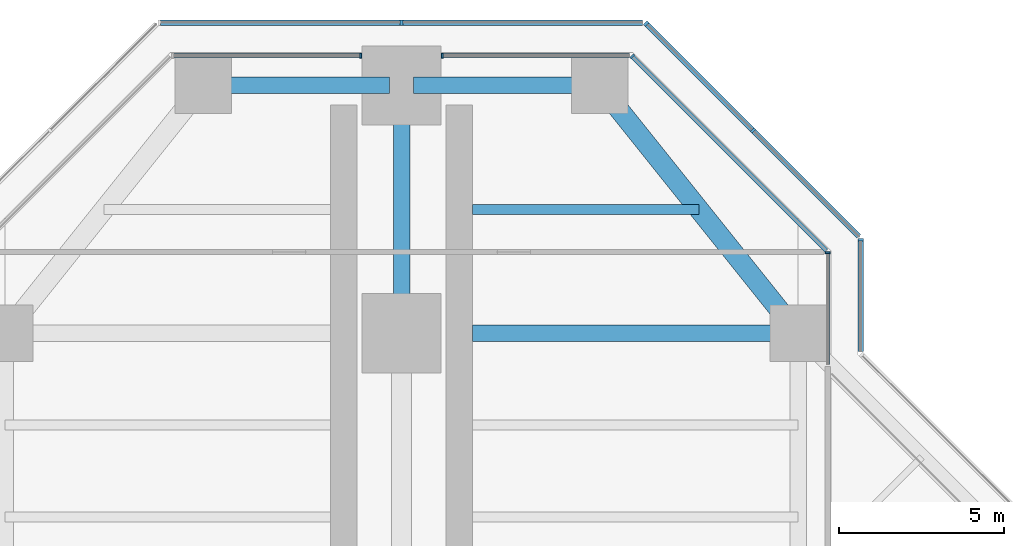
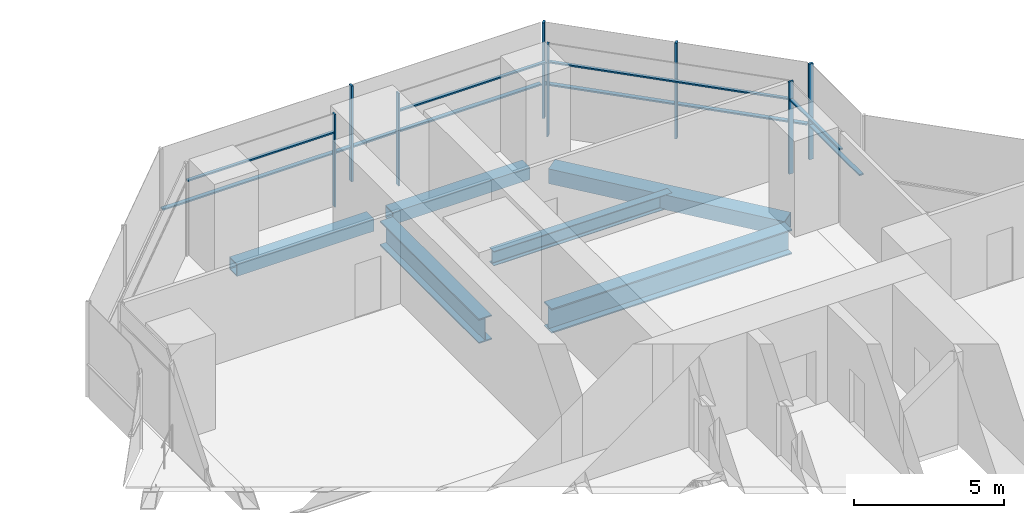
# One storey, part 10 of 19: 17 members, 6 beams, 7 elements without a shape of their own.
"""IFC4 building model written with IfcOpenShell, lengths in metres."""

import ifcopenshell
import ifcopenshell.guid

model = None  # the IFC model being written
_history = None  # IfcOwnerHistory: only IFC2X3 demands one
_inside = {}  # id of a spatial element -> (the spatial element, [elements in it])
_under = {}  # id of a project, library or spatial element -> (it, [spatial elements below it])
_declared = {}  # id of a project -> (the project, [libraries it declares])
_typed = {}  # id of a type object -> (the type object, [elements of that type])
_made_of = {}  # id of a material, layer set ... -> (it, [elements and type objects made of it])


def new_model(schema):
    """Start an empty IFC model of exactly this schema.

    Asked for "IFC4X3", IfcOpenShell would pick the latest addendum, in which some entities
    have other attributes; the version numbers below select the first issue.
    IFC2X3 requires an IfcOwnerHistory on every rooted entity: one is made here for all.
    """
    global model, _history
    if schema == "IFC4X3":
        model = ifcopenshell.file(schema_version=(4, 3, 0, 0))
    else:
        model = ifcopenshell.file(schema=schema)
    _inside.clear()
    _under.clear()
    _declared.clear()
    _typed.clear()
    _made_of.clear()
    _history = None
    if model.schema == "IFC2X3":
        org = make("IfcOrganization", Name="unknown")
        user = make(
            "IfcPersonAndOrganization",
            ThePerson=make("IfcPerson", FamilyName="unknown"),
            TheOrganization=org,
        )
        app = make(
            "IfcApplication",
            ApplicationDeveloper=org,
            Version="unknown",
            ApplicationFullName="unknown",
            ApplicationIdentifier="unknown",
        )
        _history = make(
            "IfcOwnerHistory",
            OwningUser=user,
            OwningApplication=app,
            ChangeAction="ADDED",
            CreationDate=0,
        )
    return model


def make(cls, **values):
    """One entity of the class cls with the attributes given. An attribute that is None is left unset."""
    return model.create_entity(
        cls, **{name: value for name, value in values.items() if value is not None}
    )


def rooted(cls, **values):
    """An entity with a GlobalId (a new one), such as an element, a storey or a relation."""
    return make(cls, GlobalId=ifcopenshell.guid.new(), OwnerHistory=_history, **values)


def si_unit(unit_type, name, prefix=None):
    """IfcSIUnit, for example si_unit("LENGTHUNIT", "METRE", prefix="MILLI")."""
    return make("IfcSIUnit", UnitType=unit_type, Prefix=prefix, Name=name)


def assignment(units):
    """IfcUnitAssignment: the units of a project."""
    return None if units is None else make("IfcUnitAssignment", Units=units)


def point(xyz):
    """IfcCartesianPoint."""
    return None if xyz is None else make("IfcCartesianPoint", Coordinates=xyz)


def direction(xyz):
    """IfcDirection."""
    return None if xyz is None else make("IfcDirection", DirectionRatios=xyz)


def frame(location, z_axis=None, x_axis=None):
    """IfcAxis2Placement3D, a coordinate frame: its origin and axes. An axis left out is left unset."""
    return make(
        "IfcAxis2Placement3D",
        Location=point(location),
        Axis=direction(z_axis),
        RefDirection=direction(x_axis),
    )


def frame_2d(location, x_axis=None):
    """IfcAxis2Placement2D, a coordinate frame in the plane: its origin and x axis."""
    return make(
        "IfcAxis2Placement2D", Location=point(location), RefDirection=direction(x_axis)
    )


def origin():
    """The frame at (0, 0, 0) with its axes left unset."""
    return frame((0.0, 0.0, 0.0))


def origin_2d():
    """The frame at (0, 0) in the plane with its x axis left unset."""
    return frame_2d((0.0, 0.0))


def place(relative_to, where):
    """IfcLocalPlacement: puts the frame where relative to a parent placement (None: the world)."""
    return make(
        "IfcLocalPlacement", PlacementRelTo=relative_to, RelativePlacement=where
    )


def context(
    kind, dimensions, precision=None, world=None, true_north=None, identifier=None
):
    """IfcGeometricRepresentationContext, for example the 3D "Model" context."""
    return make(
        "IfcGeometricRepresentationContext",
        ContextIdentifier=identifier,
        ContextType=kind,
        CoordinateSpaceDimension=dimensions,
        Precision=precision,
        WorldCoordinateSystem=world,
        TrueNorth=true_north,
    )


def subcontext(parent, identifier, kind, view, scale=None):
    """IfcGeometricRepresentationSubContext, for example "Body" below "Model"."""
    return make(
        "IfcGeometricRepresentationSubContext",
        ContextIdentifier=identifier,
        ContextType=kind,
        ParentContext=parent,
        TargetScale=scale,
        TargetView=view,
    )


def project(units=None, contexts=None):
    """IfcProject with its units and contexts."""
    return rooted(
        "IfcProject",
        Name="project",
        RepresentationContexts=contexts,
        UnitsInContext=assignment(units),
    )


def spatial(cls, under=None, at=None, **own):
    """A site, building, storey or space (cls), placed at a placement, below another one or the project."""
    s = rooted(cls, ObjectPlacement=at, **own)
    if under is not None:
        _under.setdefault(under.id(), (under, []))[1].append(s)
    return s


def profile(cls, at=None, kind="AREA", **sizes):
    """A parametric profile (cls). Its sizes go by their IFC names, for example OverallWidth=200.0."""
    return make(cls, ProfileType=kind, Position=at, **sizes)


def rectangle(**sizes):
    """IfcRectangleProfileDef."""
    return profile("IfcRectangleProfileDef", **sizes)


def hollow_rectangle(**sizes):
    """IfcRectangleHollowProfileDef."""
    return profile("IfcRectangleHollowProfileDef", **sizes)


def i_section(**sizes):
    """IfcIShapeProfileDef."""
    return profile("IfcIShapeProfileDef", **sizes)


def extrude(swept, where, along, depth):
    """IfcExtrudedAreaSolid: the profile swept, set in the frame where, extruded along a direction by depth."""
    return make(
        "IfcExtrudedAreaSolid",
        SweptArea=swept,
        Position=where,
        ExtrudedDirection=direction(along),
        Depth=depth,
    )


def shape(context_of_items, identifier, shape_type, items):
    """IfcShapeRepresentation: the items that make up one representation, for example the "Body"."""
    return make(
        "IfcShapeRepresentation",
        ContextOfItems=context_of_items,
        RepresentationIdentifier=identifier,
        RepresentationType=shape_type,
        Items=items,
    )


def material(Name=None, Category=None):
    """IfcMaterial."""
    return make("IfcMaterial", Name=Name, Category=Category)


def material_profile(
    of_material, cross_section, Name=None, Category=None, Priority=None
):
    """IfcMaterialProfile: a cross section and its material."""
    return make(
        "IfcMaterialProfile",
        Name=Name,
        Material=of_material,
        Profile=cross_section,
        Priority=Priority,
        Category=Category,
    )


def profile_set(profiles, Name=None, composite=None):
    """IfcMaterialProfileSet."""
    return make(
        "IfcMaterialProfileSet",
        Name=Name,
        MaterialProfiles=profiles,
        CompositeProfile=composite,
    )


def made_of(thing, what):
    """Note that an element or type object is made of a material, layer set ...; save() writes the relation."""
    if what is not None:
        _made_of.setdefault(what.id(), (what, []))[1].append(thing)
    return thing


def type_object(cls, material=None, **own):
    """A type object (cls), such as IfcWallType, which elements share."""
    return made_of(rooted(cls, **own), material)


def element(
    cls,
    number,
    at=None,
    inside=None,
    cuts=None,
    type_object=None,
    material=None,
    context=None,
    identifier="Body",
    shape_type=None,
    held_by="IfcProductDefinitionShape",
    body=None,
    shapes=None,
    **own,
):
    """One element of the class cls, such as IfcWall. Its Tag is "e" and its number.

    at: its placement. inside: the storey or other place that contains it. cuts: it is an
    opening in that element (IfcRelVoidsElement). A single representation is given by context,
    identifier, shape_type and body (its items); several are given by shapes. held_by: the class
    of the entity that holds the representations. save() writes the other relations.
    """
    e = rooted(cls, Tag="e%d" % number, ObjectPlacement=at, **own)
    if body is not None:
        shapes = [shape(context, identifier, shape_type, body)]
    if shapes is not None:
        e.Representation = make(held_by, Representations=shapes)
    if inside is not None:
        _inside.setdefault(inside.id(), (inside, []))[1].append(e)
    if cuts is not None:
        rooted(
            "IfcRelVoidsElement", RelatingBuildingElement=cuts, RelatedOpeningElement=e
        )
    if type_object is not None:
        _typed.setdefault(type_object.id(), (type_object, []))[1].append(e)
    return made_of(e, material)


def aggregate(whole, parts):
    """IfcRelAggregates: a whole, such as a stair, and the parts it consists of."""
    return rooted("IfcRelAggregates", RelatingObject=whole, RelatedObjects=parts)


def save(model, path):
    """Write the relations noted so far, then the file.

    IfcRelAggregates (storeys below a building ...), IfcRelContainedInSpatialStructure (elements
    in a storey), IfcRelDefinesByType, IfcRelAssociatesMaterial and IfcRelDeclares: one each for
    every whole, place, type object, material and project.
    """
    for whole, parts in _under.values():
        aggregate(whole, parts)
    for where, things in _inside.values():
        rooted(
            "IfcRelContainedInSpatialStructure",
            RelatedElements=things,
            RelatingStructure=where,
        )
    for kind, things in _typed.values():
        rooted("IfcRelDefinesByType", RelatedObjects=things, RelatingType=kind)
    for what, things in _made_of.values():
        rooted("IfcRelAssociatesMaterial", RelatedObjects=things, RelatingMaterial=what)
    for by, libraries in _declared.values():
        rooted("IfcRelDeclares", RelatingContext=by, RelatedDefinitions=libraries)
    model.write(path)


model = new_model("IFC4")

# Units and contexts
model_context = context("Model", 3, precision=1e-05, world=origin(), true_north=direction((0.0, 1.0)))
body_context = subcontext(model_context, "Body", "Model", "MODEL_VIEW")
ifc_project = project(units=[si_unit("LENGTHUNIT", "METRE"), si_unit("AREAUNIT", "SQUARE_METRE"), si_unit("VOLUMEUNIT", "CUBIC_METRE"), si_unit("PLANEANGLEUNIT", "RADIAN"), si_unit("MASSUNIT", "GRAM", prefix="KILO")], contexts=[model_context])

# Site, building, storey
site_placement = place(None, origin())
site = spatial("IfcSite", under=ifc_project, at=site_placement, CompositionType="ELEMENT")
building_placement = place(site_placement, origin())
building = spatial("IfcBuilding", under=site, at=building_placement, Name="Mizan Broadcast Tower", CompositionType="ELEMENT")
storey_placement = place(building_placement, frame((0.0, 0.0, 128.10009765625)))
storey = spatial("IfcBuildingStorey", under=building, at=storey_placement, Name="L28", CompositionType="ELEMENT", Elevation=128.10009765625)

# Beams
ifc_material_1 = material(Name="Steel S355", Category="steel")
ifc_material_profile_1 = material_profile(ifc_material_1, hollow_rectangle(XDim=0.5, YDim=0.5, WallThickness=0.030029296875, at=origin_2d()), Name="BOX 500x500x30")
ifc_profile_set_1 = profile_set([ifc_material_profile_1], Name="Steel S355")
beam_type_1 = type_object("IfcBeamType", Name="EDGE BEAM BOX 500x500x30", PredefinedType="SPANDREL", material=ifc_profile_set_1)
for number, where, z_axis, x_axis, name in (
    (1, (5.639892578125, 27.0, -0.380126953125), (-1.0, 0.0, 0.0), (0.0, -1.0, 0.0), "Edge beam BOX 500x500x30 L28 north arm"),
    (2, (-5.639892578125, 27.0, -0.380126953125), (1.0, 0.0, 0.0), (0.0, 1.0, 0.0), "Edge beam BOX 500x500x30 L28 north arm"),
):
    element("IfcBeam", number, at=place(storey_placement, frame(where, z_axis=z_axis, x_axis=x_axis)), inside=storey, type_object=beam_type_1, Name=name, PredefinedType="SPANDREL", context=body_context, shape_type="SweptSolid", body=[
        extrude(hollow_rectangle(XDim=0.5, YDim=0.5, WallThickness=0.030029296875, at=origin_2d()), origin(), (0.0, 0.0, 1.0), 5.27978515625),
    ])
ifc_material_2 = material(Name="Steel S355", Category="steel")
ifc_material_profile_2 = material_profile(ifc_material_2, hollow_rectangle(XDim=0.60009765625, YDim=0.60009765625, WallThickness=0.030029296875, at=origin_2d()), Name="BOX 600x600x30")
ifc_profile_set_2 = profile_set([ifc_material_profile_2], Name="Steel S355")
beam_type_2 = type_object("IfcBeamType", Name="EDGE BEAM BOX 600x600x30", PredefinedType="SPANDREL", material=ifc_profile_set_2)
beam_1_placement = place(storey_placement, frame((11.639892578125, 19.949951171875, -0.43017578125), z_axis=(-0.624673911726, 0.780885717636, 0.0), x_axis=(-0.780885717636, -0.624673911726, 0.0)))
element("IfcBeam", 3, at=beam_1_placement, inside=storey, type_object=beam_type_2, Name="Edge beam BOX 600x600x30 L28 north arm", PredefinedType="SPANDREL", context=body_context, shape_type="SweptSolid", body=[
    extrude(hollow_rectangle(XDim=0.60009765625, YDim=0.60009765625, WallThickness=0.030029296875, at=origin_2d()), origin(), (0.0, 0.0, 1.0), 8.4521484375),
])
ifc_material_3 = material(Name="Steel S460", Category="steel")
ifc_material_profile_3 = material_profile(ifc_material_3, i_section(OverallWidth=0.5, OverallDepth=1.0, WebThickness=0.02490234375, FlangeThickness=0.050048828125, at=origin_2d()), Name="WPG 1000x500")
ifc_profile_set_3 = profile_set([ifc_material_profile_3], Name="Steel S460")
beam_type_3 = type_object("IfcBeamType", Name="GIRDER WPG 1000x500", PredefinedType="BEAM", material=ifc_profile_set_3)
beam_2_placement = place(storey_placement, frame((0.0, 19.949951171875, -0.630126953125), z_axis=(0.0, 1.0, 0.0), x_axis=(-1.0, 0.0, 0.0)))
element("IfcBeam", 4, at=beam_2_placement, inside=storey, type_object=beam_type_3, Name="Girder WPG 1000x500 L28 north arm", PredefinedType="BEAM", context=body_context, shape_type="SweptSolid", body=[
    extrude(i_section(OverallWidth=0.5, OverallDepth=1.0, WebThickness=0.02490234375, FlangeThickness=0.050048828125, at=origin_2d()), origin(), (0.0, 0.0, 1.0), 6.60009765625),
])
beam_3_placement = place(storey_placement, frame((11.408935546875, 19.5, -0.630126953125), z_axis=(-1.0, 0.0, 0.0), x_axis=(0.0, -1.0, 0.0)))
element("IfcBeam", 5, at=beam_3_placement, inside=storey, type_object=beam_type_3, Name="Girder WPG 1000x500 L28 north arm", PredefinedType="BEAM", context=body_context, shape_type="SweptSolid", body=[
    extrude(i_section(OverallWidth=0.5, OverallDepth=1.0, WebThickness=0.02490234375, FlangeThickness=0.050048828125, at=origin_2d()), origin(), (0.0, 0.0, 1.0), 9.259033203125),
])

# Curtain wall, member
ifc_material_4 = material(Name="Aluminium framed glazing", Category="aluminium")
curtain_wall_type_1 = type_object("IfcCurtainWallType", Name="INNER SKIN MID ZONE", PredefinedType="USERDEFINED", material=ifc_material_4)
curtain_wall_1_placement = place(storey_placement, origin())
curtain_wall_1 = element("IfcCurtainWall", 6, at=curtain_wall_1_placement, inside=storey, type_object=curtain_wall_type_1, Name="Inner skin mid zone L28 N side", ObjectType="INNER SKIN MID ZONE", PredefinedType="USERDEFINED")
ifc_material_5 = material(Name="Aluminium, pale anodised", Category="aluminium")
ifc_material_profile_4 = material_profile(ifc_material_5, rectangle(XDim=0.159912109375, YDim=0.06005859375, at=origin_2d()), Name="MULLION 160x60")
ifc_profile_set_4 = profile_set([ifc_material_profile_4], Name="Aluminium, pale anodised")
member_type_1 = type_object("IfcMemberType", Name="INNER SKIN MULLION 60x160", PredefinedType="MULLION", material=ifc_profile_set_4)
member_1_placement = place(storey_placement, frame((12.89990234375, 21.928466796875, 0.0), z_axis=(0.0, 0.0, 1.0), x_axis=(-1.0, 0.0, 0.0)))
member_1 = element("IfcMember", 7, at=member_1_placement, type_object=member_type_1, Name="Inner skin mid zone L28 N side mullion 2", PredefinedType="MULLION", context=body_context, shape_type="SweptSolid", body=[
    extrude(rectangle(XDim=0.159912109375, YDim=0.06005859375, at=origin_2d()), origin(), (0.0, 0.0, 1.0), 3.77001953125),
])

curtain_wall_2_placement = place(storey_placement, origin())
curtain_wall_2 = element("IfcCurtainWall", 8, at=curtain_wall_2_placement, inside=storey, type_object=curtain_wall_type_1, Name="Inner skin mid zone L28 N chamfer", ObjectType="INNER SKIN MID ZONE", PredefinedType="USERDEFINED")
member_2_placement = place(storey_placement, frame((6.979736328125, 27.87890625, 0.0), z_axis=(0.0, 0.0, 1.0), x_axis=(-0.707106781187, -0.707106781187, 0.0)))
member_2 = element("IfcMember", 9, at=member_2_placement, type_object=member_type_1, Name="Inner skin mid zone L28 N chamfer mullion 2", PredefinedType="MULLION", context=body_context, shape_type="SweptSolid", body=[
    extrude(rectangle(XDim=0.159912109375, YDim=0.06005859375, at=origin_2d()), origin(), (0.0, 0.0, 1.0), 3.77001953125),
])

curtain_wall_3_placement = place(storey_placement, origin())
curtain_wall_3 = element("IfcCurtainWall", 10, at=curtain_wall_3_placement, inside=storey, type_object=curtain_wall_type_1, Name="Inner skin mid zone L28 N end", ObjectType="INNER SKIN MID ZONE", PredefinedType="USERDEFINED")
member_3_placement = place(storey_placement, frame((1.22998046875, 27.89990234375, 0.0), z_axis=(0.0, 0.0, 1.0), x_axis=(0.0, -1.0, 0.0)))
member_3 = element("IfcMember", 11, at=member_3_placement, type_object=member_type_1, Name="Inner skin mid zone L28 N end mullion 2", PredefinedType="MULLION", context=body_context, shape_type="SweptSolid", body=[
    extrude(rectangle(XDim=0.159912109375, YDim=0.06005859375, at=origin_2d()), origin(), (0.0, 0.0, 1.0), 3.77001953125),
])

curtain_wall_4_placement = place(storey_placement, origin())
curtain_wall_4 = element("IfcCurtainWall", 12, at=curtain_wall_4_placement, inside=storey, type_object=curtain_wall_type_1, Name="Inner skin mid zone L28 N end", ObjectType="INNER SKIN MID ZONE", PredefinedType="USERDEFINED")
member_4_placement = place(storey_placement, frame((-1.22998046875, 27.89990234375, 0.0), z_axis=(0.0, 0.0, 1.0), x_axis=(0.0, -1.0, 0.0)))
member_4 = element("IfcMember", 13, at=member_4_placement, type_object=member_type_1, Name="Inner skin mid zone L28 N end mullion 1", PredefinedType="MULLION", context=body_context, shape_type="SweptSolid", body=[
    extrude(rectangle(XDim=0.159912109375, YDim=0.06005859375, at=origin_2d()), origin(), (0.0, 0.0, 1.0), 3.77001953125),
])

# Member
ifc_material_6 = material(Name="Aluminium, pale anodised", Category="aluminium")
ifc_material_profile_5 = material_profile(ifc_material_6, rectangle(XDim=0.1201171875, YDim=0.06005859375, at=origin_2d()), Name="TRANSOM 120x60")
ifc_profile_set_5 = profile_set([ifc_material_profile_5], Name="Aluminium, pale anodised")
member_type_2 = type_object("IfcMemberType", Name="INNER SKIN TRANSOM 60x120", PredefinedType="USERDEFINED", material=ifc_profile_set_5)
member_5_placement = place(storey_placement, frame((12.89990234375, 18.56005859375, 3.02978515625), z_axis=(0.0, 1.0, 0.0), x_axis=(-1.0, 0.0, 0.0)))
member_5 = element("IfcMember", 14, at=member_5_placement, type_object=member_type_2, Name="Inner skin mid zone L28 N side transom 1.1", ObjectType="TRANSOM", PredefinedType="USERDEFINED", context=body_context, shape_type="SweptSolid", body=[
    extrude(rectangle(XDim=0.1201171875, YDim=0.06005859375, at=origin_2d()), origin(), (0.0, 0.0, 1.0), 3.338623046875),
])

aggregate(curtain_wall_1, [member_1, member_5])

member_6_placement = place(storey_placement, frame((12.857666015625, 22.0009765625, 3.02978515625), z_axis=(-0.707106781187, 0.707106781187, 0.0), x_axis=(-0.707106781187, -0.707106781187, 0.0)))
member_6 = element("IfcMember", 15, at=member_6_placement, type_object=member_type_2, Name="Inner skin mid zone L28 N chamfer transom 1.1", ObjectType="TRANSOM", PredefinedType="USERDEFINED", context=body_context, shape_type="SweptSolid", body=[
    extrude(rectangle(XDim=0.1201171875, YDim=0.06005859375, at=origin_2d()), origin(), (0.0, 0.0, 1.0), 8.28271484375),
])

aggregate(curtain_wall_2, [member_2, member_6])

member_7_placement = place(storey_placement, frame((6.898681640625, 27.89990234375, 3.02978515625), z_axis=(-1.0, 0.0, 0.0), x_axis=(0.0, -1.0, 0.0)))
member_7 = element("IfcMember", 16, at=member_7_placement, type_object=member_type_2, Name="Inner skin mid zone L28 N end transom 1.1", ObjectType="TRANSOM", PredefinedType="USERDEFINED", context=body_context, shape_type="SweptSolid", body=[
    extrude(rectangle(XDim=0.1201171875, YDim=0.06005859375, at=origin_2d()), origin(), (0.0, 0.0, 1.0), 5.638671875),
])

aggregate(curtain_wall_3, [member_3, member_7])

member_8_placement = place(storey_placement, frame((-1.260009765625, 27.89990234375, 3.02978515625), z_axis=(-1.0, 0.0, 0.0), x_axis=(0.0, -1.0, 0.0)))
member_8 = element("IfcMember", 17, at=member_8_placement, type_object=member_type_2, Name="Inner skin mid zone L28 N end transom 1.1", ObjectType="TRANSOM", PredefinedType="USERDEFINED", context=body_context, shape_type="SweptSolid", body=[
    extrude(rectangle(XDim=0.1201171875, YDim=0.06005859375, at=origin_2d()), origin(), (0.0, 0.0, 1.0), 5.638671875),
])

aggregate(curtain_wall_4, [member_4, member_8])

# Curtain wall, member
ifc_material_7 = material(Name="Aluminium framed glazing", Category="aluminium")
curtain_wall_type_2 = type_object("IfcCurtainWallType", Name="OUTER SKIN", PredefinedType="USERDEFINED", material=ifc_material_7)
curtain_wall_5_placement = place(storey_placement, origin())
curtain_wall_5 = element("IfcCurtainWall", 18, at=curtain_wall_5_placement, inside=storey, type_object=curtain_wall_type_2, Name="Outer skin L28 N side", ObjectType="OUTER SKIN", PredefinedType="USERDEFINED")
ifc_material_8 = material(Name="Aluminium, pale anodised", Category="aluminium")
ifc_material_profile_6 = material_profile(ifc_material_8, rectangle(XDim=0.159912109375, YDim=0.080078125, at=origin_2d()), Name="MULLION 160x80")
ifc_profile_set_6 = profile_set([ifc_material_profile_6], Name="Aluminium, pale anodised")
member_type_3 = type_object("IfcMemberType", Name="OUTER SKIN MULLION 80x160", PredefinedType="MULLION", material=ifc_profile_set_6)
member_9_placement = place(storey_placement, frame((13.89990234375, 22.332763671875, 0.0), z_axis=(0.0, 0.0, 1.0), x_axis=(-1.0, 0.0, 0.0)))
member_9 = element("IfcMember", 19, at=member_9_placement, type_object=member_type_3, Name="Outer skin L28 N side mullion 2", PredefinedType="MULLION", context=body_context, shape_type="SweptSolid", body=[
    extrude(rectangle(XDim=0.159912109375, YDim=0.080078125, at=origin_2d()), origin(), (0.0, 0.0, 1.0), 3.89990234375),
])

# Curtain wall, members
curtain_wall_6_placement = place(storey_placement, origin())
curtain_wall_6 = element("IfcCurtainWall", 20, at=curtain_wall_6_placement, inside=storey, type_object=curtain_wall_type_2, Name="Outer skin L28 N chamfer", ObjectType="OUTER SKIN", PredefinedType="USERDEFINED")
member_10_placement = place(storey_placement, frame((10.636474609375, 25.636474609375, 0.0), z_axis=(0.0, 0.0, 1.0), x_axis=(-0.707106781187, -0.707106781187, 0.0)))
member_10 = element("IfcMember", 21, at=member_10_placement, type_object=member_type_3, Name="Outer skin L28 N chamfer mullion 2", PredefinedType="MULLION", context=body_context, shape_type="SweptSolid", body=[
    extrude(rectangle(XDim=0.159912109375, YDim=0.080078125, at=origin_2d()), origin(), (0.0, 0.0, 1.0), 3.89990234375),
])
member_11_placement = place(storey_placement, frame((7.401123046875, 28.871826171875, 0.0), z_axis=(0.0, 0.0, 1.0), x_axis=(-0.707106781187, -0.707106781187, 0.0)))
member_11 = element("IfcMember", 22, at=member_11_placement, type_object=member_type_3, Name="Outer skin L28 N chamfer mullion 3", PredefinedType="MULLION", context=body_context, shape_type="SweptSolid", body=[
    extrude(rectangle(XDim=0.159912109375, YDim=0.080078125, at=origin_2d()), origin(), (0.0, 0.0, 1.0), 3.89990234375),
])

# Curtain wall, member
curtain_wall_7_placement = place(storey_placement, origin())
curtain_wall_7 = element("IfcCurtainWall", 23, at=curtain_wall_7_placement, inside=storey, type_object=curtain_wall_type_2, Name="Outer skin L28 N end", ObjectType="OUTER SKIN", PredefinedType="USERDEFINED")
member_12_placement = place(storey_placement, frame((0.0, 28.89990234375, 0.0), z_axis=(0.0, 0.0, 1.0), x_axis=(0.0, -1.0, 0.0)))
member_12 = element("IfcMember", 24, at=member_12_placement, type_object=member_type_3, Name="Outer skin L28 N end mullion 2", PredefinedType="MULLION", context=body_context, shape_type="SweptSolid", body=[
    extrude(rectangle(XDim=0.159912109375, YDim=0.080078125, at=origin_2d()), origin(), (0.0, 0.0, 1.0), 3.89990234375),
])

# Member
ifc_material_9 = material(Name="Aluminium, pale anodised", Category="aluminium")
ifc_material_profile_7 = material_profile(ifc_material_9, rectangle(XDim=0.159912109375, YDim=0.06005859375, at=origin_2d()), Name="TRANSOM 160x60")
ifc_profile_set_7 = profile_set([ifc_material_profile_7], Name="Aluminium, pale anodised")
member_type_4 = type_object("IfcMemberType", Name="OUTER SKIN TRANSOM 60x160", PredefinedType="USERDEFINED", material=ifc_profile_set_7)
member_13_placement = place(storey_placement, frame((13.89990234375, 18.952880859375, 1.39990234375), z_axis=(0.0, 1.0, 0.0), x_axis=(-1.0, 0.0, 0.0)))
member_13 = element("IfcMember", 25, at=member_13_placement, type_object=member_type_4, Name="Outer skin L28 N side transom 1.1", ObjectType="TRANSOM", PredefinedType="USERDEFINED", context=body_context, shape_type="SweptSolid", body=[
    extrude(rectangle(XDim=0.159912109375, YDim=0.06005859375, at=origin_2d()), origin(), (0.0, 0.0, 1.0), 3.33984375),
])

aggregate(curtain_wall_5, [member_9, member_13])

member_14_placement = place(storey_placement, frame((13.843505859375, 22.429443359375, 1.39990234375), z_axis=(-0.707106781187, 0.707106781187, 0.0), x_axis=(-0.707106781187, -0.707106781187, 0.0)))
member_14 = element("IfcMember", 26, at=member_14_placement, type_object=member_type_4, Name="Outer skin L28 N chamfer transom 1.1", ObjectType="TRANSOM", PredefinedType="USERDEFINED", context=body_context, shape_type="SweptSolid", body=[
    extrude(rectangle(XDim=0.159912109375, YDim=0.06005859375, at=origin_2d()), origin(), (0.0, 0.0, 1.0), 4.495361328125),
])

member_15_placement = place(storey_placement, frame((10.608154296875, 25.664794921875, 1.39990234375), z_axis=(-0.707106781187, 0.707106781187, 0.0), x_axis=(-0.707106781187, -0.707106781187, 0.0)))
member_15 = element("IfcMember", 27, at=member_15_placement, type_object=member_type_4, Name="Outer skin L28 N chamfer transom 2.1", ObjectType="TRANSOM", PredefinedType="USERDEFINED", context=body_context, shape_type="SweptSolid", body=[
    extrude(rectangle(XDim=0.159912109375, YDim=0.06005859375, at=origin_2d()), origin(), (0.0, 0.0, 1.0), 4.495361328125),
])

aggregate(curtain_wall_6, [member_10, member_11, member_14, member_15])

member_16_placement = place(storey_placement, frame((7.292724609375, 28.89990234375, 1.39990234375), z_axis=(-1.0, 0.0, 0.0), x_axis=(0.0, -1.0, 0.0)))
member_16 = element("IfcMember", 28, at=member_16_placement, type_object=member_type_4, Name="Outer skin L28 N end transom 1.1", ObjectType="TRANSOM", PredefinedType="USERDEFINED", context=body_context, shape_type="SweptSolid", body=[
    extrude(rectangle(XDim=0.159912109375, YDim=0.06005859375, at=origin_2d()), origin(), (0.0, 0.0, 1.0), 7.252685546875),
])

member_17_placement = place(storey_placement, frame((-0.0400390625, 28.89990234375, 1.39990234375), z_axis=(-1.0, 0.0, 0.0), x_axis=(0.0, -1.0, 0.0)))
member_17 = element("IfcMember", 29, at=member_17_placement, type_object=member_type_4, Name="Outer skin L28 N end transom 2.1", ObjectType="TRANSOM", PredefinedType="USERDEFINED", context=body_context, shape_type="SweptSolid", body=[
    extrude(rectangle(XDim=0.159912109375, YDim=0.06005859375, at=origin_2d()), origin(), (0.0, 0.0, 1.0), 7.252685546875),
])

aggregate(curtain_wall_7, [member_12, member_16, member_17])

# Beam
ifc_material_10 = material(Name="Steel S355", Category="steel")
ifc_material_profile_8 = material_profile(ifc_material_10, i_section(OverallWidth=0.300048828125, OverallDepth=0.590087890625, WebThickness=0.012939453125, FlangeThickness=0.02490234375, FilletRadius=0.027099609375, at=origin_2d()), Name="HEA 600")
ifc_profile_set_8 = profile_set([ifc_material_profile_8], Name="Steel S355")
beam_type_4 = type_object("IfcBeamType", Name="SECONDARY BEAM HEA 600", PredefinedType="JOIST", material=ifc_profile_set_8)
beam_4_placement = place(storey_placement, frame((9.0, 23.25, -0.425048828125), z_axis=(-1.0, 0.0, 0.0), x_axis=(0.0, -1.0, 0.0)))
element("IfcBeam", 30, at=beam_4_placement, inside=storey, type_object=beam_type_4, Name="Secondary beam HEA 600 L28 north arm", PredefinedType="JOIST", context=body_context, shape_type="SweptSolid", body=[
    extrude(i_section(OverallWidth=0.300048828125, OverallDepth=0.590087890625, WebThickness=0.012939453125, FlangeThickness=0.02490234375, FilletRadius=0.027099609375, at=origin_2d()), origin(), (0.0, 0.0, 1.0), 6.85009765625),
])

save(model, "model.ifc")
